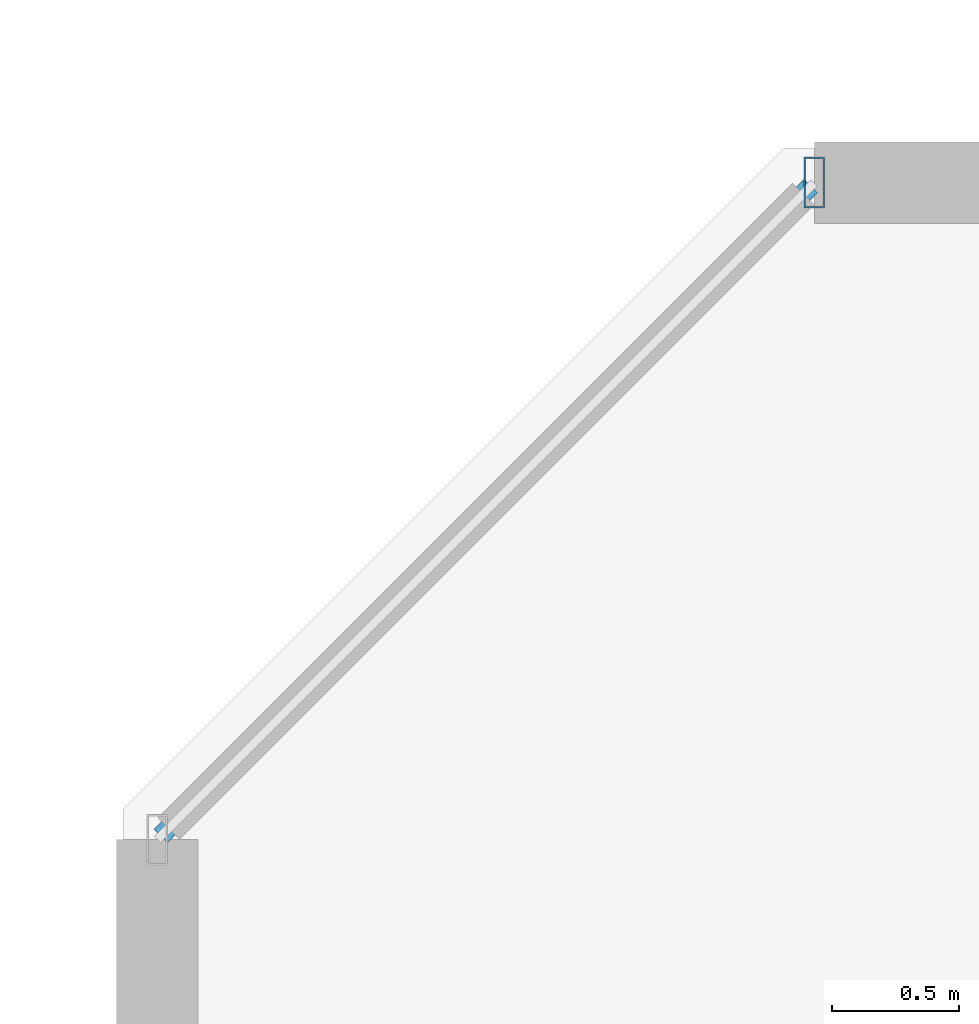
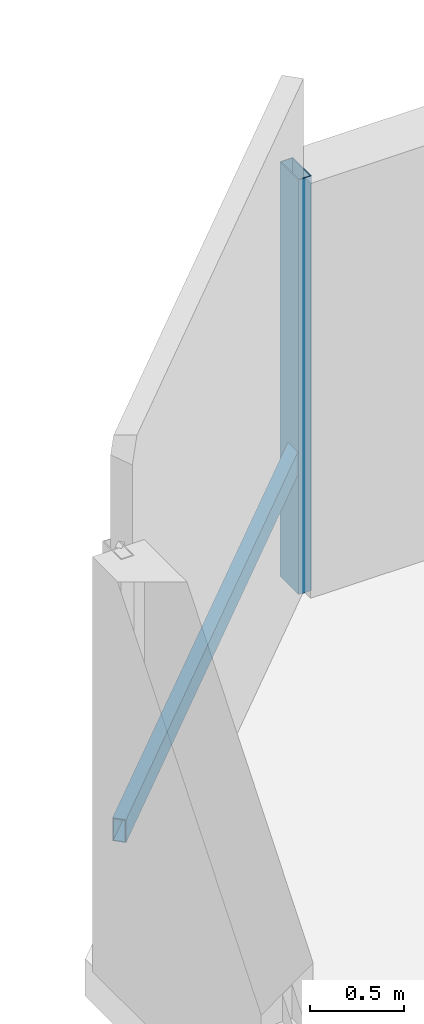
# One storey, part 11 of 32: 2 members, 1 element without a shape of its own.
"""IFC4 building model written with IfcOpenShell, lengths in metres."""

from ifc_helpers import new_model, si_unit, direction, frame, origin, origin_2d, place, context, subcontext, project, spatial, hollow_rectangle, extrude, material, material_profile, profile_set, type_object, element, aggregate, save


model = new_model("IFC4")

# Units and contexts
model_context = context("Model", 3, precision=1e-05, world=origin(), true_north=direction((0.0, 1.0)))
body_context = subcontext(model_context, "Body", "Model", "MODEL_VIEW")
ifc_project = project(units=[si_unit("LENGTHUNIT", "METRE"), si_unit("AREAUNIT", "SQUARE_METRE"), si_unit("VOLUMEUNIT", "CUBIC_METRE"), si_unit("PLANEANGLEUNIT", "RADIAN"), si_unit("MASSUNIT", "GRAM", prefix="KILO")], contexts=[model_context])

# Site, building, storey
site_placement = place(None, origin())
site = spatial("IfcSite", under=ifc_project, at=site_placement, CompositionType="ELEMENT")
building_placement = place(site_placement, origin())
building = spatial("IfcBuilding", under=site, at=building_placement, Name="Thornwick Lancets Civic Towers", CompositionType="ELEMENT")
storey_placement = place(building_placement, frame((0.0, 0.0, 182.10009765625)))
storey = spatial("IfcBuildingStorey", under=building, at=storey_placement, Name="L48", CompositionType="ELEMENT", Elevation=182.10009765625)

# Curtain wall, members
ifc_material_1 = material(Name="Mid-zone chamfered-corner unitised glass curtain wall", Category="glass")
curtain_wall_type = type_object("IfcCurtainWallType", Name="CW_SYS_04", PredefinedType="NOTDEFINED", material=ifc_material_1)
curtain_wall_placement = place(storey_placement, origin())
curtain_wall = element("IfcCurtainWall", 1, at=curtain_wall_placement, inside=storey, type_object=curtain_wall_type, Name="L48 Curtain Wall CW-L48-B-E5", PredefinedType="NOTDEFINED")
ifc_material_2 = material(Name="Thermally broken bronze aluminium S355", Category="steel")
ifc_material_profile_1 = material_profile(ifc_material_2, hollow_rectangle(XDim=0.080078125, YDim=0.199951171875, WallThickness=0.006103515625, at=origin_2d()), Name="RHS 200x80x6")
ifc_profile_set_1 = profile_set([ifc_material_profile_1], Name="Thermally broken bronze aluminium S355")
member_type_1 = type_object("IfcMemberType", Name="CW_MUL_200", PredefinedType="MULLION", material=ifc_profile_set_1)
member_1_placement = place(storey_placement, frame((67.318603515625, 50.7646484375, 0.0), z_axis=(0.0, 0.0, 1.0), x_axis=(1.0, 0.0, 0.0)))
member_1 = element("IfcMember", 2, at=member_1_placement, type_object=member_type_1, Name="CW-L48-B-E5 Mullion 0", PredefinedType="MULLION", context=body_context, shape_type="SweptSolid", body=[
    extrude(hollow_rectangle(XDim=0.080078125, YDim=0.199951171875, WallThickness=0.006103515625, at=origin_2d()), origin(), (0.0, 0.0, 1.0), 2.699951171875),
])
ifc_material_profile_2 = material_profile(ifc_material_2, hollow_rectangle(XDim=0.074951171875, YDim=0.14990234375, WallThickness=0.0048828125, at=origin_2d()), Name="RHS 150x75x5")
ifc_profile_set_2 = profile_set([ifc_material_profile_2], Name="Thermally broken bronze aluminium S355")
member_type_2 = type_object("IfcMemberType", Name="CW_TRN_150", PredefinedType="USERDEFINED", material=ifc_profile_set_2)
member_2_placement = place(storey_placement, frame((67.304443359375, 50.75048828125, 0.849853515625), z_axis=(-0.707106781187, -0.707106781187, 0.0), x_axis=(0.707106781187, -0.707106781187, 0.0)))
member_2 = element("IfcMember", 3, at=member_2_placement, type_object=member_type_2, Name="CW-L48-B-E5 Transom 0", ObjectType="TRANSOM", PredefinedType="USERDEFINED", context=body_context, shape_type="SweptSolid", body=[
    extrude(hollow_rectangle(XDim=0.074951171875, YDim=0.14990234375, WallThickness=0.0048828125, at=origin_2d()), origin(), (0.0, 0.0, 1.0), 3.61328125),
])
aggregate(curtain_wall, [member_1, member_2])

save(model, "model.ifc")
